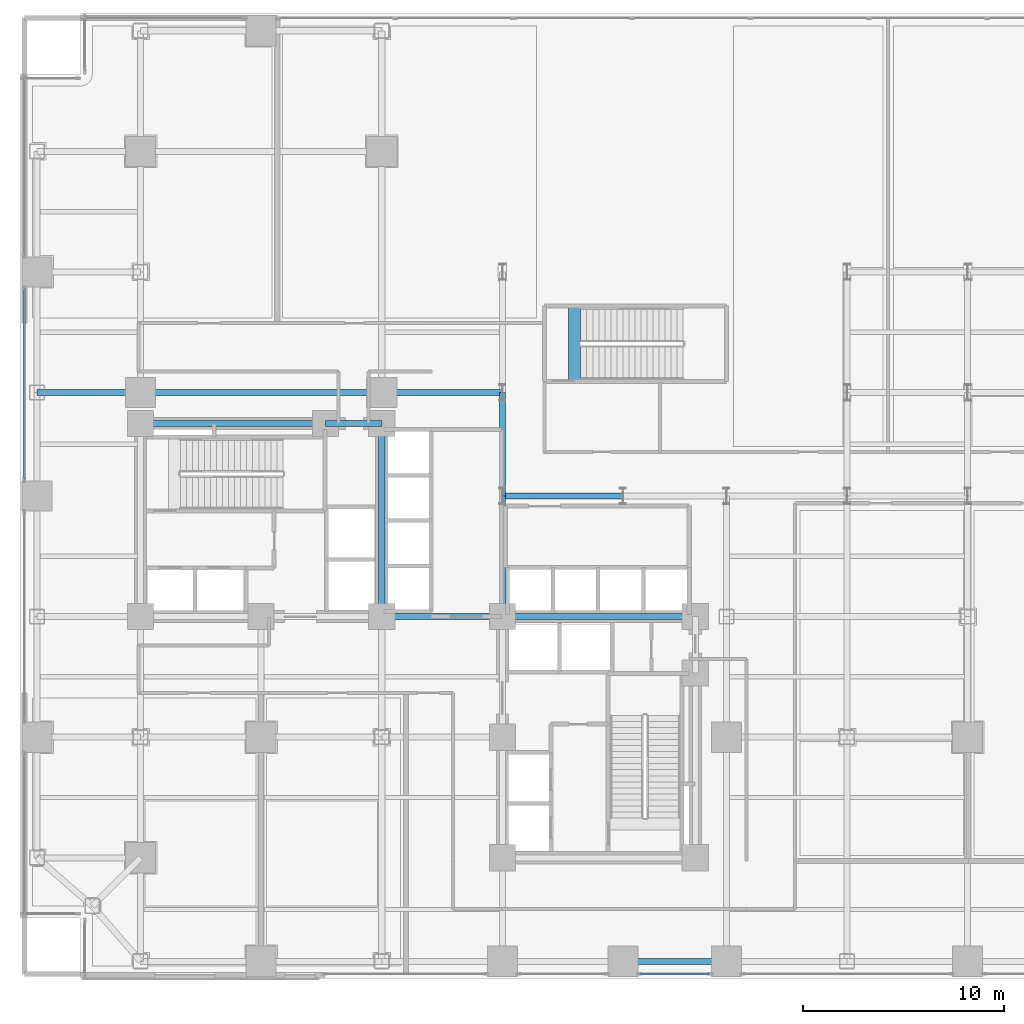
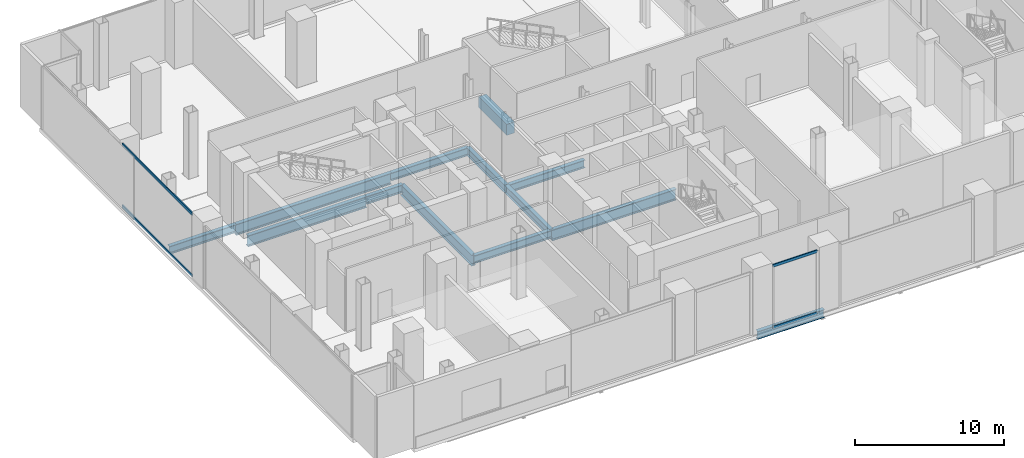
# One storey, part 8 of 27: 13 beams, 4 members, 2 elements without a shape of their own.
"""IFC4 building model written with IfcOpenShell, lengths in metres."""

from ifc_helpers import new_model, si_unit, direction, frame, origin, origin_2d, place, context, subcontext, project, spatial, rectangle, hollow_rectangle, i_section, extrude, material, layer, layer_set, material_profile, profile_set, type_object, element, aggregate, save


model = new_model("IFC4")

# Units and contexts
model_context = context("Model", 3, precision=1e-05, world=origin(), true_north=direction((0.0, 1.0)))
body_context = subcontext(model_context, "Body", "Model", "MODEL_VIEW")
ifc_project = project(units=[si_unit("LENGTHUNIT", "METRE"), si_unit("AREAUNIT", "SQUARE_METRE"), si_unit("VOLUMEUNIT", "CUBIC_METRE"), si_unit("PLANEANGLEUNIT", "RADIAN"), si_unit("MASSUNIT", "GRAM", prefix="KILO"), si_unit("THERMODYNAMICTEMPERATUREUNIT", "KELVIN"), si_unit("POWERUNIT", "WATT")], contexts=[model_context])

# Site, building, storey
site_placement = place(None, origin())
site = spatial("IfcSite", under=ifc_project, at=site_placement, CompositionType="ELEMENT")
building_placement = place(site_placement, origin())
building = spatial("IfcBuilding", under=site, at=building_placement, Name="Svarakhadi Broadcast Tower", CompositionType="ELEMENT")
storey_placement = place(building_placement, frame((0.0, 0.0, 5.699951171875)))
storey = spatial("IfcBuildingStorey", under=building, at=storey_placement, Name="L01", CompositionType="ELEMENT", Elevation=5.699951171875)

# Curtain wall, members
ifc_material_1 = material(Name="Anodised Bronze Aluminium AA 6063-T6", Category="aluminium")
ifc_layer = layer(ifc_material_1, 0.25)
ifc_layer_set = layer_set([ifc_layer], Name="Anodised Bronze Aluminium AA 6063-T6")
curtain_wall_type = type_object("IfcCurtainWallType", Name="CW_Sys_01", PredefinedType="NOTDEFINED", material=ifc_layer_set)
curtain_wall_1_placement = place(storey_placement, origin())
curtain_wall_1 = element("IfcCurtainWall", 1, at=curtain_wall_1_placement, inside=storey, type_object=curtain_wall_type, Name="L01 Unitised Facade Curtain Wall 02 Bay 3", PredefinedType="NOTDEFINED")
ifc_material_profile_1 = material_profile(ifc_material_1, hollow_rectangle(XDim=0.0849609375, YDim=0.219970703125, WallThickness=0.0048828125, at=origin_2d()), Name="ALU TRANSOM 220x85x5")
ifc_profile_set_1 = profile_set([ifc_material_profile_1], Name="Anodised Bronze Aluminium AA 6063-T6")
member_type = type_object("IfcMemberType", Name="CW_Sys_01_Trn", PredefinedType="USERDEFINED", material=ifc_profile_set_1)
member_1_placement = place(storey_placement, frame((0.219970703125, 24.864990234375, 0.04248046875), z_axis=(0.0, 1.0, 0.0), x_axis=(-1.0, 0.0, 0.0)))
member_1 = element("IfcMember", 2, at=member_1_placement, type_object=member_type, Name="CW-01 transom 1.1", ObjectType="TRANSOM", PredefinedType="USERDEFINED", context=body_context, shape_type="SweptSolid", body=[
    extrude(hollow_rectangle(XDim=0.0849609375, YDim=0.219970703125, WallThickness=0.0048828125, at=origin_2d()), origin(), (0.0, 0.0, 1.0), 9.419921875),
])
member_2_placement = place(storey_placement, frame((0.219970703125, 24.864990234375, 5.08251953125), z_axis=(0.0, 1.0, 0.0), x_axis=(-1.0, 0.0, 0.0)))
member_2 = element("IfcMember", 3, at=member_2_placement, type_object=member_type, Name="CW-01 transom 1.2", ObjectType="TRANSOM", PredefinedType="USERDEFINED", context=body_context, shape_type="SweptSolid", body=[
    extrude(hollow_rectangle(XDim=0.0849609375, YDim=0.219970703125, WallThickness=0.0048828125, at=origin_2d()), origin(), (0.0, 0.0, 1.0), 9.419921875),
])
aggregate(curtain_wall_1, [member_1, member_2])

curtain_wall_2_placement = place(storey_placement, origin())
curtain_wall_2 = element("IfcCurtainWall", 4, at=curtain_wall_2_placement, inside=storey, type_object=curtain_wall_type, Name="L01 South Curtain Wall 11 Bay 3", PredefinedType="NOTDEFINED")
member_3_placement = place(storey_placement, frame((34.284912109375, 0.219970703125, 0.04248046875), z_axis=(-1.0, 0.0, 0.0), x_axis=(0.0, -1.0, 0.0)))
member_3 = element("IfcMember", 5, at=member_3_placement, type_object=member_type, Name="CW-01 transom 1.1", ObjectType="TRANSOM", PredefinedType="USERDEFINED", context=body_context, shape_type="SweptSolid", body=[
    extrude(hollow_rectangle(XDim=0.0849609375, YDim=0.219970703125, WallThickness=0.0048828125, at=origin_2d()), origin(), (0.0, 0.0, 1.0), 3.419921875),
])
member_4_placement = place(storey_placement, frame((34.284912109375, 0.219970703125, 5.08251953125), z_axis=(-1.0, 0.0, 0.0), x_axis=(0.0, -1.0, 0.0)))
member_4 = element("IfcMember", 6, at=member_4_placement, type_object=member_type, Name="CW-01 transom 1.2", ObjectType="TRANSOM", PredefinedType="USERDEFINED", context=body_context, shape_type="SweptSolid", body=[
    extrude(hollow_rectangle(XDim=0.0849609375, YDim=0.219970703125, WallThickness=0.0048828125, at=origin_2d()), origin(), (0.0, 0.0, 1.0), 3.419921875),
])
aggregate(curtain_wall_2, [member_3, member_4])

# Beams
ifc_material_2 = material(Name="Concrete C50/60 (IS 456 M60)", Category="concrete")
ifc_material_profile_2 = material_profile(ifc_material_2, rectangle(XDim=0.60009765625, YDim=0.89990234375, at=origin_2d()), Name="RC 600x900")
ifc_profile_set_2 = profile_set([ifc_material_profile_2], Name="Concrete C50/60 (IS 456 M60)")
beam_type_1 = type_object("IfcBeamType", Name="Coupling_RC600", PredefinedType="USERDEFINED", material=ifc_profile_set_2)
beam_1_placement = place(storey_placement, frame((27.60009765625, 29.699951171875, -0.449951171875), z_axis=(0.0, 1.0, 0.0), x_axis=(-1.0, 0.0, 0.0)))
element("IfcBeam", 7, at=beam_1_placement, inside=storey, type_object=beam_type_1, Name="L01 Stair ST-03 Landing Throat Trimmer Beam CB-01", ObjectType="GIRDER", PredefinedType="USERDEFINED", context=body_context, shape_type="SweptSolid", body=[
    extrude(rectangle(XDim=0.60009765625, YDim=0.89990234375, at=origin_2d()), origin(), (0.0, 0.0, 1.0), 3.760009765625),
])
ifc_material_3 = material(Name="Steel S355J2 (IS 2062 E350C)", Category="steel")
ifc_material_profile_3 = material_profile(ifc_material_3, i_section(OverallWidth=0.300048828125, OverallDepth=0.64990234375, WebThickness=0.01611328125, FlangeThickness=0.031005859375, FilletRadius=0.027099609375, at=origin_2d()), Name="WPB 650x300x225")
ifc_profile_set_3 = profile_set([ifc_material_profile_3], Name="Steel S355J2 (IS 2062 E350C)")
beam_type_2 = type_object("IfcBeamType", Name="Girder_WPB650", PredefinedType="USERDEFINED", material=ifc_profile_set_3)
beam_2_placement = place(storey_placement, frame((30.0, 0.85009765625, -0.625), z_axis=(1.0, 0.0, 0.0), x_axis=(0.0, 1.0, 0.0)))
element("IfcBeam", 8, at=beam_2_placement, inside=storey, type_object=beam_type_2, Name="L01 Primary E-W Girder G008", ObjectType="GIRDER", PredefinedType="USERDEFINED", context=body_context, shape_type="SweptSolid", body=[
    extrude(i_section(OverallWidth=0.300048828125, OverallDepth=0.64990234375, WebThickness=0.01611328125, FlangeThickness=0.031005859375, FilletRadius=0.027099609375, at=origin_2d()), origin(), (0.0, 0.0, 1.0), 5.14990234375),
])
for number, where, z_axis, x_axis, name in (
    (9, (18.0, 18.0, -0.625), (1.0, 0.0, 0.0), (0.0, 1.0, 0.0), "L01 Primary E-W Girder G023"),
    (10, (24.0, 24.0, -0.625), (1.0, 0.0, 0.0), (0.0, 1.0, 0.0), "L01 Primary E-W Girder G026"),
):
    element("IfcBeam", number, at=place(storey_placement, frame(where, z_axis=z_axis, x_axis=x_axis)), inside=storey, type_object=beam_type_2, Name=name, ObjectType="GIRDER", PredefinedType="USERDEFINED", context=body_context, shape_type="SweptSolid", body=[
        extrude(i_section(OverallWidth=0.300048828125, OverallDepth=0.64990234375, WebThickness=0.01611328125, FlangeThickness=0.031005859375, FilletRadius=0.027099609375, at=origin_2d()), origin(), (0.0, 0.0, 1.0), 6.0),
    ])
beam_3_placement = place(storey_placement, frame((15.199951171875, 27.60009765625, -0.625), z_axis=(1.0, 0.0, 0.0), x_axis=(0.0, 1.0, 0.0)))
element("IfcBeam", 11, at=beam_3_placement, inside=storey, type_object=beam_type_2, Name="L01 Primary E-W Girder G031", ObjectType="GIRDER", PredefinedType="USERDEFINED", context=body_context, shape_type="SweptSolid", body=[
    extrude(i_section(OverallWidth=0.300048828125, OverallDepth=0.64990234375, WebThickness=0.01611328125, FlangeThickness=0.031005859375, FilletRadius=0.027099609375, at=origin_2d()), origin(), (0.0, 0.0, 1.0), 2.800048828125),
])
beam_4_placement = place(storey_placement, frame((0.85009765625, 29.14990234375, -0.625), z_axis=(1.0, 0.0, 0.0), x_axis=(0.0, 1.0, 0.0)))
element("IfcBeam", 12, at=beam_4_placement, inside=storey, type_object=beam_type_2, Name="L01 Primary E-W Girder G032", ObjectType="GIRDER", PredefinedType="USERDEFINED", context=body_context, shape_type="SweptSolid", body=[
    extrude(i_section(OverallWidth=0.300048828125, OverallDepth=0.64990234375, WebThickness=0.01611328125, FlangeThickness=0.031005859375, FilletRadius=0.027099609375, at=origin_2d()), origin(), (0.0, 0.0, 1.0), 5.14990234375),
])
for number, where, z_axis, x_axis, name in (
    (13, (18.0, 29.14990234375, -0.625), (1.0, 0.0, 0.0), (0.0, 1.0, 0.0), "L01 Primary E-W Girder G034"),
    (14, (24.0, 18.0, -0.625), (0.0, 1.0, 0.0), (-1.0, 0.0, 0.0), "L01 Primary N-S Girder G067"),
):
    element("IfcBeam", number, at=place(storey_placement, frame(where, z_axis=z_axis, x_axis=x_axis)), inside=storey, type_object=beam_type_2, Name=name, ObjectType="GIRDER", PredefinedType="USERDEFINED", context=body_context, shape_type="SweptSolid", body=[
        extrude(i_section(OverallWidth=0.300048828125, OverallDepth=0.64990234375, WebThickness=0.01611328125, FlangeThickness=0.031005859375, FilletRadius=0.027099609375, at=origin_2d()), origin(), (0.0, 0.0, 1.0), 6.0),
    ])
beam_5_placement = place(storey_placement, frame((24.0, 24.0, -0.625), z_axis=(0.0, 1.0, 0.0), x_axis=(-1.0, 0.0, 0.0)))
element("IfcBeam", 15, at=beam_5_placement, inside=storey, type_object=beam_type_2, Name="L01 Primary N-S Girder G068", ObjectType="GIRDER", PredefinedType="USERDEFINED", context=body_context, shape_type="SweptSolid", body=[
    extrude(i_section(OverallWidth=0.300048828125, OverallDepth=0.64990234375, WebThickness=0.01611328125, FlangeThickness=0.031005859375, FilletRadius=0.027099609375, at=origin_2d()), origin(), (0.0, 0.0, 1.0), 5.14990234375),
])
ifc_material_4 = material(Name="Steel S460ML (IS 2062 E450BR)", Category="steel")
ifc_material_profile_4 = material_profile(ifc_material_4, i_section(OverallWidth=0.300048828125, OverallDepth=0.89990234375, WebThickness=0.0185546875, FlangeThickness=0.034912109375, FilletRadius=0.030029296875, at=origin_2d()), Name="WPB 900x300x291")
ifc_profile_set_4 = profile_set([ifc_material_profile_4], Name="Steel S460ML (IS 2062 E450BR)")
beam_type_3 = type_object("IfcBeamType", Name="Girder_WPB900", PredefinedType="USERDEFINED", material=ifc_profile_set_4)
beam_6_placement = place(storey_placement, frame((24.0, 18.0, -0.75), z_axis=(1.0, 0.0, 0.0), x_axis=(0.0, 1.0, 0.0)))
element("IfcBeam", 16, at=beam_6_placement, inside=storey, type_object=beam_type_3, Name="L01 Primary E-W Girder G024", ObjectType="GIRDER", PredefinedType="USERDEFINED", context=body_context, shape_type="SweptSolid", body=[
    extrude(i_section(OverallWidth=0.300048828125, OverallDepth=0.89990234375, WebThickness=0.0185546875, FlangeThickness=0.034912109375, FilletRadius=0.030029296875, at=origin_2d()), origin(), (0.0, 0.0, 1.0), 9.60009765625),
])
beam_7_placement = place(storey_placement, frame((6.0, 27.60009765625, -0.75), z_axis=(1.0, 0.0, 0.0), x_axis=(0.0, 1.0, 0.0)))
element("IfcBeam", 17, at=beam_7_placement, inside=storey, type_object=beam_type_3, Name="L01 Primary E-W Girder G030", ObjectType="GIRDER", PredefinedType="USERDEFINED", context=body_context, shape_type="SweptSolid", body=[
    extrude(i_section(OverallWidth=0.300048828125, OverallDepth=0.89990234375, WebThickness=0.0185546875, FlangeThickness=0.034912109375, FilletRadius=0.030029296875, at=origin_2d()), origin(), (0.0, 0.0, 1.0), 9.199951171875),
])
beam_8_placement = place(storey_placement, frame((6.0, 29.14990234375, -0.75), z_axis=(1.0, 0.0, 0.0), x_axis=(0.0, 1.0, 0.0)))
element("IfcBeam", 18, at=beam_8_placement, inside=storey, type_object=beam_type_3, Name="L01 Primary E-W Girder G033", ObjectType="GIRDER", PredefinedType="USERDEFINED", context=body_context, shape_type="SweptSolid", body=[
    extrude(i_section(OverallWidth=0.300048828125, OverallDepth=0.89990234375, WebThickness=0.0185546875, FlangeThickness=0.034912109375, FilletRadius=0.030029296875, at=origin_2d()), origin(), (0.0, 0.0, 1.0), 12.0),
])
beam_9_placement = place(storey_placement, frame((18.0, 18.0, -0.75), z_axis=(0.0, 1.0, 0.0), x_axis=(-1.0, 0.0, 0.0)))
element("IfcBeam", 19, at=beam_9_placement, inside=storey, type_object=beam_type_3, Name="L01 Primary N-S Girder G061", ObjectType="GIRDER", PredefinedType="USERDEFINED", context=body_context, shape_type="SweptSolid", body=[
    extrude(i_section(OverallWidth=0.300048828125, OverallDepth=0.89990234375, WebThickness=0.0185546875, FlangeThickness=0.034912109375, FilletRadius=0.030029296875, at=origin_2d()), origin(), (0.0, 0.0, 1.0), 9.60009765625),
])

save(model, "model.ifc")
